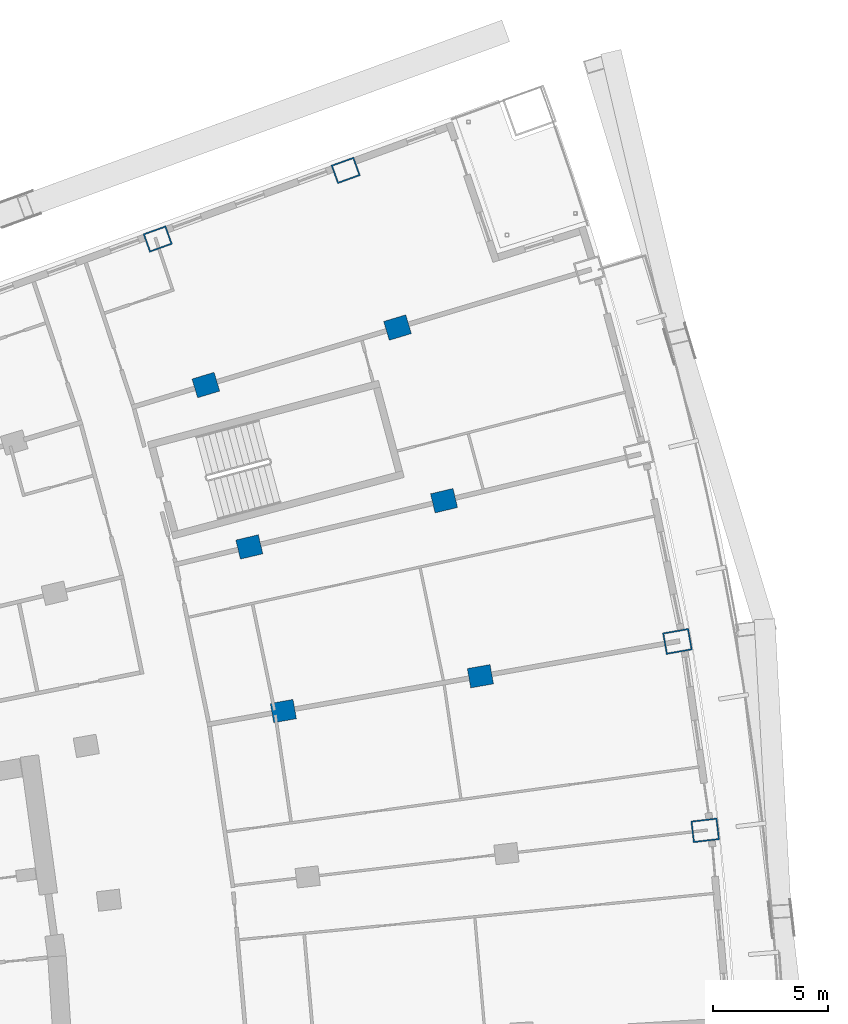
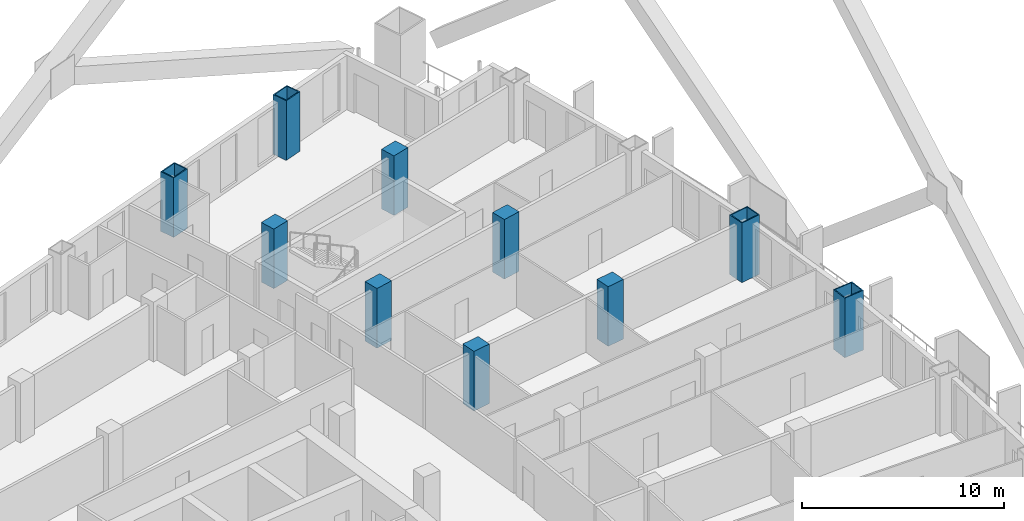
# One storey, part 10 of 26: 10 columns.
"""IFC4 building model written with IfcOpenShell, lengths in metres."""

from ifc_helpers import new_model, si_unit, direction, frame, origin, origin_2d, place, context, subcontext, project, spatial, rectangle, hollow_rectangle, extrude, material, material_profile, profile_set, type_object, element, save


model = new_model("IFC4")

# Units and contexts
model_context = context("Model", 3, precision=1e-05, world=origin(), true_north=direction((0.0, 1.0)))
body_context = subcontext(model_context, "Body", "Model", "MODEL_VIEW")
ifc_project = project(units=[si_unit("LENGTHUNIT", "METRE"), si_unit("AREAUNIT", "SQUARE_METRE"), si_unit("VOLUMEUNIT", "CUBIC_METRE"), si_unit("PLANEANGLEUNIT", "RADIAN"), si_unit("MASSUNIT", "GRAM", prefix="KILO")], contexts=[model_context])

# Site, building, storey
site_placement = place(None, origin())
site = spatial("IfcSite", under=ifc_project, at=site_placement, CompositionType="ELEMENT")
building_placement = place(site_placement, origin())
building = spatial("IfcBuilding", under=site, at=building_placement, Name="Alderwake Tower", CompositionType="ELEMENT")
storey_placement = place(building_placement, frame((0.0, 0.0, 82.39990234375)))
storey = spatial("IfcBuildingStorey", under=building, at=storey_placement, Name="L19", CompositionType="ELEMENT", Elevation=82.39990234375)

# Columns
ifc_material_1 = material(Name="Steel ASTM A572 Grade 50 concrete filled C70/85", Category="concrete")
ifc_material_profile_1 = material_profile(ifc_material_1, hollow_rectangle(XDim=0.85009765625, YDim=1.050048828125, WallThickness=0.06005859375, at=origin_2d()), Name="BOX 1050X850X60")
ifc_profile_set_1 = profile_set([ifc_material_profile_1], Name="Steel ASTM A572 Grade 50 concrete filled C70/85")
column_type_1 = type_object("IfcColumnType", Name="End column Z2", PredefinedType="COLUMN", material=ifc_profile_set_1)
for number, where, z_axis, x_axis, name in (
    (1, (37.125, 103.115234375, 0.0), (0.0, 0.0, 1.0), (-0.338365126362, 0.941014899596, 0.0), "Column R13-C3"),
    (2, (45.266357421875, 106.0869140625, 0.0), (0.0, 0.0, 1.0), (-0.338660738209, 0.940908552621, 0.0), "Column R13-C4"),
):
    element("IfcColumn", number, at=place(storey_placement, frame(where, z_axis=z_axis, x_axis=x_axis)), inside=storey, type_object=column_type_1, Name=name, PredefinedType="COLUMN", context=body_context, shape_type="SweptSolid", body=[
        extrude(hollow_rectangle(XDim=0.85009765625, YDim=1.050048828125, WallThickness=0.06005859375, at=origin_2d()), origin(), (0.0, 0.0, 1.0), 3.60009765625),
    ])
ifc_material_2 = material(Name="Concrete C70/85", Category="concrete")
ifc_material_profile_2 = material_profile(ifc_material_2, rectangle(XDim=0.85009765625, YDim=1.0, at=origin_2d()), Name="RC 1000X850")
ifc_profile_set_2 = profile_set([ifc_material_profile_2], Name="Concrete C70/85")
column_type_2 = type_object("IfcColumnType", Name="Interior column Z2", PredefinedType="COLUMN", material=ifc_profile_set_2)
for number, where, z_axis, x_axis, name in (
    (3, (42.565673828125, 82.670654296875, 0.0), (0.0, 0.0, 1.0), (-0.174108800747, 0.984726421654, 0.0), "Column R10-C3"),
    (4, (51.099853515625, 84.1796875, 0.0), (0.0, 0.0, 1.0), (-0.174108800747, 0.984726421654, 0.0), "Column R10-C4"),
    (5, (41.09375, 89.779296875, 0.0), (0.0, 0.0, 1.0), (-0.231221547198, 0.972901123502, 0.0), "Column R11-C3"),
    (6, (49.525390625, 91.783203125, 0.0), (0.0, 0.0, 1.0), (-0.231221547198, 0.972901123502, 0.0), "Column R11-C4"),
    (7, (39.2099609375, 96.790283203125, 0.0), (0.0, 0.0, 1.0), (-0.287549418125, 0.957765802342, 0.0), "Column R12-C3"),
    (8, (47.510498046875, 99.2822265625, 0.0), (0.0, 0.0, 1.0), (-0.287549418125, 0.957765802342, 0.0), "Column R12-C4"),
):
    element("IfcColumn", number, at=place(storey_placement, frame(where, z_axis=z_axis, x_axis=x_axis)), inside=storey, type_object=column_type_2, Name=name, PredefinedType="COLUMN", context=body_context, shape_type="SweptSolid", body=[
        extrude(rectangle(XDim=0.85009765625, YDim=1.0, at=origin_2d()), origin(), (0.0, 0.0, 1.0), 3.60009765625),
    ])
ifc_material_3 = material(Name="Steel ASTM A572 Grade 50 concrete filled C70/85", Category="concrete")
ifc_material_profile_3 = material_profile(ifc_material_3, hollow_rectangle(XDim=0.949951171875, YDim=1.14990234375, WallThickness=0.06005859375, at=origin_2d()), Name="BOX 1150X950X60")
ifc_profile_set_3 = profile_set([ifc_material_profile_3], Name="Steel ASTM A572 Grade 50 concrete filled C70/85")
column_type_3 = type_object("IfcColumnType", Name="Perimeter column Z2", PredefinedType="COLUMN", material=ifc_profile_set_3)
for number, where, z_axis, x_axis, name in (
    (9, (60.836181640625, 77.505859375, 0.0), (0.0, 0.0, 1.0), (-0.116402054316, 0.993202175668, 0.0), "Column R09-C5"),
    (10, (59.63427734375, 85.6884765625, 0.0), (0.0, 0.0, 1.0), (-0.174107082075, 0.984726725529, 0.0), "Column R10-C5"),
):
    element("IfcColumn", number, at=place(storey_placement, frame(where, z_axis=z_axis, x_axis=x_axis)), inside=storey, type_object=column_type_3, Name=name, PredefinedType="COLUMN", context=body_context, shape_type="SweptSolid", body=[
        extrude(hollow_rectangle(XDim=0.949951171875, YDim=1.14990234375, WallThickness=0.06005859375, at=origin_2d()), origin(), (0.0, 0.0, 1.0), 3.60009765625),
    ])

save(model, "model.ifc")
